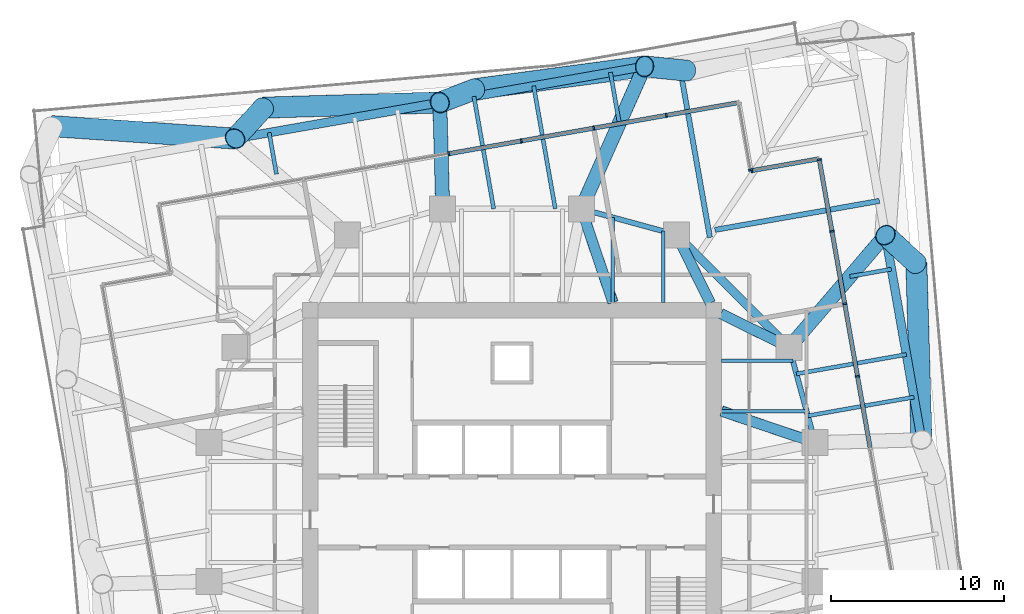
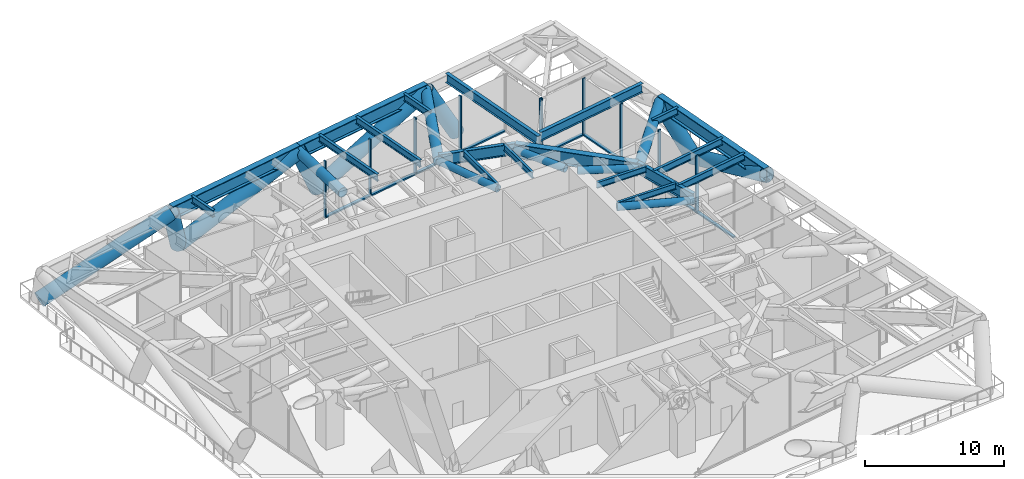
# One storey, part 6 of 15: 34 members, 19 beams, 4 elements without a shape of their own.
"""IFC4 building model written with IfcOpenShell, lengths in metres."""

from ifc_helpers import new_model, si_unit, direction, frame, origin, origin_2d, place, context, subcontext, project, spatial, rectangle, hollow_circle, i_section, extrude, material, material_profile, profile_set, type_object, element, aggregate, save


model = new_model("IFC4")

# Units and contexts
model_context = context("Model", 3, precision=1e-05, world=origin(), true_north=direction((0.0, 1.0)))
body_context = subcontext(model_context, "Body", "Model", "MODEL_VIEW")
ifc_project = project(units=[si_unit("LENGTHUNIT", "METRE"), si_unit("AREAUNIT", "SQUARE_METRE"), si_unit("VOLUMEUNIT", "CUBIC_METRE"), si_unit("PLANEANGLEUNIT", "RADIAN"), si_unit("MASSUNIT", "GRAM", prefix="KILO")], contexts=[model_context])

# Site, building, storey
site_placement = place(None, origin())
site = spatial("IfcSite", under=ifc_project, at=site_placement, CompositionType="ELEMENT")
building_placement = place(site_placement, origin())
building = spatial("IfcBuilding", under=site, at=building_placement, Name="Torsade Residences", CompositionType="ELEMENT")
storey_placement = place(building_placement, frame((0.0, 0.0, 74.39990234375)))
storey = spatial("IfcBuildingStorey", under=building, at=storey_placement, Name="L20", CompositionType="ELEMENT", Elevation=74.39990234375)

# Beams
ifc_material_1 = material(Name="Steel grade 300", Category="steel")
ifc_material_profile_1 = material_profile(ifc_material_1, i_section(OverallWidth=0.208984375, OverallDepth=0.528076171875, WebThickness=0.009521484375, FlangeThickness=0.01318359375, FilletRadius=0.013916015625, at=origin_2d()), Name="530UB82.0")
ifc_profile_set_1 = profile_set([ifc_material_profile_1], Name="Steel grade 300")
beam_type_1 = type_object("IfcBeamType", Name="INNER FLOOR BEAM 530UB82.0", PredefinedType="JOIST", material=ifc_profile_set_1)
beam_1_placement = place(storey_placement, frame((45.824951171875, 42.10009765625, 4.586181640625), z_axis=(0.0, 1.0, 0.0), x_axis=(-1.0, 0.0, 0.0)))
element("IfcBeam", 1, at=beam_1_placement, inside=storey, type_object=beam_type_1, Name="Inner floor beam IN06 L21", PredefinedType="JOIST", context=body_context, shape_type="SweptSolid", body=[
    extrude(i_section(OverallWidth=0.208984375, OverallDepth=0.528076171875, WebThickness=0.009521484375, FlangeThickness=0.01318359375, FilletRadius=0.013916015625, at=origin_2d()), origin(), (0.0, 0.0, 1.0), 4.902099609375),
])
beam_2_placement = place(storey_placement, frame((48.737548828125, 42.10009765625, 4.586181640625), z_axis=(0.0, 1.0, 0.0), x_axis=(-1.0, 0.0, 0.0)))
element("IfcBeam", 2, at=beam_2_placement, inside=storey, type_object=beam_type_1, Name="Inner floor beam IN07 L21", PredefinedType="JOIST", context=body_context, shape_type="SweptSolid", body=[
    extrude(i_section(OverallWidth=0.208984375, OverallDepth=0.528076171875, WebThickness=0.009521484375, FlangeThickness=0.01318359375, FilletRadius=0.013916015625, at=origin_2d()), origin(), (0.0, 0.0, 1.0), 4.10791015625),
])
beam_3_placement = place(storey_placement, frame((52.10009765625, 35.824951171875, 4.586181640625), z_axis=(1.0, 0.0, 0.0), x_axis=(0.0, 1.0, 0.0)))
element("IfcBeam", 3, at=beam_3_placement, inside=storey, type_object=beam_type_1, Name="Inner floor beam IE06 L21", PredefinedType="JOIST", context=body_context, shape_type="SweptSolid", body=[
    extrude(i_section(OverallWidth=0.208984375, OverallDepth=0.528076171875, WebThickness=0.009521484375, FlangeThickness=0.01318359375, FilletRadius=0.013916015625, at=origin_2d()), origin(), (0.0, 0.0, 1.0), 4.902099609375),
])
beam_4_placement = place(storey_placement, frame((52.10009765625, 38.737548828125, 4.586181640625), z_axis=(1.0, 0.0, 0.0), x_axis=(0.0, 1.0, 0.0)))
element("IfcBeam", 4, at=beam_4_placement, inside=storey, type_object=beam_type_1, Name="Inner floor beam IE07 L21", PredefinedType="JOIST", context=body_context, shape_type="SweptSolid", body=[
    extrude(i_section(OverallWidth=0.208984375, OverallDepth=0.528076171875, WebThickness=0.009521484375, FlangeThickness=0.01318359375, FilletRadius=0.013916015625, at=origin_2d()), origin(), (0.0, 0.0, 1.0), 4.10791015625),
])
ifc_material_2 = material(Name="Steel grade 300", Category="steel")
ifc_material_profile_2 = material_profile(ifc_material_2, i_section(OverallWidth=0.5, OverallDepth=1.199951171875, WebThickness=0.01611328125, FlangeThickness=0.0400390625, at=origin_2d()), Name="1200WB455")
ifc_profile_set_2 = profile_set([ifc_material_profile_2], Name="Steel grade 300")
beam_type_2 = type_object("IfcBeamType", Name="RING CORNER GIRDER 1200WB455", PredefinedType="BEAM", material=ifc_profile_set_2)
beam_5_placement = place(storey_placement, frame((56.0, 39.5, 4.25), z_axis=(-0.707106781187, 0.707106781187, 0.0), x_axis=(-0.707106781187, -0.707106781187, 0.0)))
element("IfcBeam", 5, at=beam_5_placement, inside=storey, type_object=beam_type_2, Name="Ring girder IR03 L21", PredefinedType="BEAM", context=body_context, shape_type="SweptSolid", body=[
    extrude(i_section(OverallWidth=0.5, OverallDepth=1.199951171875, WebThickness=0.01611328125, FlangeThickness=0.0400390625, at=origin_2d()), origin(), (0.0, 0.0, 1.0), 9.1923828125),
])
ifc_material_3 = material(Name="Steel grade 300", Category="steel")
ifc_material_profile_3 = material_profile(ifc_material_3, i_section(OverallWidth=0.300048828125, OverallDepth=1.0, WebThickness=0.01611328125, FlangeThickness=0.028076171875, at=origin_2d()), Name="1000WB215")
ifc_profile_set_3 = profile_set([ifc_material_profile_3], Name="Steel grade 300")
beam_type_3 = type_object("IfcBeamType", Name="RING GIRDER 1000WB215", PredefinedType="BEAM", material=ifc_profile_set_3)
for number, where, z_axis, x_axis, name in (
    (6, (57.5, 34.0, 4.35009765625), (-0.263117405792, 0.964763821238, 0.0), (-0.964763821238, -0.263117405792, 0.0), "Ring girder IR02 L21"),
    (7, (49.5, 46.0, 4.35009765625), (-0.964763821238, 0.263117405792, 0.0), (-0.263117405792, -0.964763821238, 0.0), "Ring girder IR04 L21"),
):
    element("IfcBeam", number, at=place(storey_placement, frame(where, z_axis=z_axis, x_axis=x_axis)), inside=storey, type_object=beam_type_3, Name=name, PredefinedType="BEAM", context=body_context, shape_type="SweptSolid", body=[
        extrude(i_section(OverallWidth=0.300048828125, OverallDepth=1.0, WebThickness=0.01611328125, FlangeThickness=0.028076171875, at=origin_2d()), origin(), (0.0, 0.0, 1.0), 5.700927734375),
    ])
ifc_material_4 = material(Name="Steel grade 300", Category="steel")
ifc_material_profile_4 = material_profile(ifc_material_4, i_section(OverallWidth=0.22900390625, OverallDepth=0.612060546875, WebThickness=0.011962890625, FlangeThickness=0.01953125, FilletRadius=0.013916015625, at=origin_2d()), Name="610UB125")
ifc_profile_set_4 = profile_set([ifc_material_profile_4], Name="Steel grade 300")
beam_type_4 = type_object("IfcBeamType", Name="SECONDARY BEAM 610UB125", PredefinedType="JOIST", material=ifc_profile_set_4)
beam_6_placement = place(storey_placement, frame((63.201171875, 36.629638671875, 4.544189453125), z_axis=(-0.984806474989, -0.173655425542, 0.0), x_axis=(0.173655425542, -0.984806474989, 0.0)))
element("IfcBeam", 8, at=beam_6_placement, inside=storey, type_object=beam_type_4, Name="Floor beam FE07 L21", PredefinedType="JOIST", context=body_context, shape_type="SweptSolid", body=[
    extrude(i_section(OverallWidth=0.22900390625, OverallDepth=0.612060546875, WebThickness=0.011962890625, FlangeThickness=0.01953125, FilletRadius=0.013916015625, at=origin_2d()), origin(), (0.0, 0.0, 1.0), 6.21826171875),
])
beam_7_placement = place(storey_placement, frame((62.76708984375, 39.091552734375, 4.544189453125), z_axis=(-0.984810608823, -0.17363198078, 0.0), x_axis=(0.17363198078, -0.984810608823, 0.0)))
element("IfcBeam", 9, at=beam_7_placement, inside=storey, type_object=beam_type_4, Name="Floor beam FE08 L21", PredefinedType="JOIST", context=body_context, shape_type="SweptSolid", body=[
    extrude(i_section(OverallWidth=0.22900390625, OverallDepth=0.612060546875, WebThickness=0.011962890625, FlangeThickness=0.01953125, FilletRadius=0.013916015625, at=origin_2d()), origin(), (0.0, 0.0, 1.0), 6.4482421875),
])
beam_8_placement = place(storey_placement, frame((61.89892578125, 44.015625, 4.544189453125), z_axis=(-0.984800736156, -0.173687967535, 0.0), x_axis=(0.173687967535, -0.984800736156, 0.0)))
element("IfcBeam", 10, at=beam_8_placement, inside=storey, type_object=beam_type_4, Name="Floor beam FE09 L21", PredefinedType="JOIST", context=body_context, shape_type="SweptSolid", body=[
    extrude(i_section(OverallWidth=0.22900390625, OverallDepth=0.612060546875, WebThickness=0.011962890625, FlangeThickness=0.01953125, FilletRadius=0.013916015625, at=origin_2d()), origin(), (0.0, 0.0, 1.0), 2.431640625),
])
beam_9_placement = place(storey_placement, frame((45.680419921875, 55.371826171875, 4.544189453125), z_axis=(0.17370564578, -0.984797618104, 0.0), x_axis=(0.984797618104, 0.17370564578, 0.0)))
element("IfcBeam", 11, at=beam_9_placement, inside=storey, type_object=beam_type_4, Name="Floor beam FN04 L21", PredefinedType="JOIST", context=body_context, shape_type="SweptSolid", body=[
    extrude(i_section(OverallWidth=0.22900390625, OverallDepth=0.612060546875, WebThickness=0.011962890625, FlangeThickness=0.01953125, FilletRadius=0.013916015625, at=origin_2d()), origin(), (0.0, 0.0, 1.0), 2.97119140625),
])
beam_10_placement = place(storey_placement, frame((41.248779296875, 54.59033203125, 4.544189453125), z_axis=(0.173651855324, -0.984807104535, 0.0), x_axis=(0.984807104535, 0.173651855324, 0.0)))
element("IfcBeam", 12, at=beam_10_placement, inside=storey, type_object=beam_type_4, Name="Floor beam FN05 L21", PredefinedType="JOIST", context=body_context, shape_type="SweptSolid", body=[
    extrude(i_section(OverallWidth=0.22900390625, OverallDepth=0.612060546875, WebThickness=0.011962890625, FlangeThickness=0.01953125, FilletRadius=0.013916015625, at=origin_2d()), origin(), (0.0, 0.0, 1.0), 7.19970703125),
])
beam_11_placement = place(storey_placement, frame((37.802001953125, 53.982666015625, 4.544189453125), z_axis=(0.173647806501, -0.984807818459, 0.0), x_axis=(0.984807818459, 0.173647806501, 0.0)))
element("IfcBeam", 13, at=beam_11_placement, inside=storey, type_object=beam_type_4, Name="Floor beam FN06 L21", PredefinedType="JOIST", context=body_context, shape_type="SweptSolid", body=[
    extrude(i_section(OverallWidth=0.22900390625, OverallDepth=0.612060546875, WebThickness=0.011962890625, FlangeThickness=0.01953125, FilletRadius=0.013916015625, at=origin_2d()), origin(), (0.0, 0.0, 1.0), 6.582763671875),
])
beam_12_placement = place(storey_placement, frame((25.984375, 51.89892578125, 4.544189453125), z_axis=(0.173687967535, -0.984800736156, 0.0), x_axis=(0.984800736156, 0.173687967535, 0.0)))
element("IfcBeam", 14, at=beam_12_placement, inside=storey, type_object=beam_type_4, Name="Floor beam FN09 L21", PredefinedType="JOIST", context=body_context, shape_type="SweptSolid", body=[
    extrude(i_section(OverallWidth=0.22900390625, OverallDepth=0.612060546875, WebThickness=0.011962890625, FlangeThickness=0.01953125, FilletRadius=0.013916015625, at=origin_2d()), origin(), (0.0, 0.0, 1.0), 2.431640625),
])
ifc_material_5 = material(Name="Steel grade 300", Category="steel")
ifc_material_profile_5 = material_profile(ifc_material_5, i_section(OverallWidth=0.300048828125, OverallDepth=0.800048828125, WebThickness=0.010009765625, FlangeThickness=0.02001953125, at=origin_2d()), Name="800WB146")
ifc_profile_set_5 = profile_set([ifc_material_profile_5], Name="Steel grade 300")
beam_type_5 = type_object("IfcBeamType", Name="SECONDARY BEAM 800WB146", PredefinedType="JOIST", material=ifc_profile_set_5)
beam_13_placement = place(storey_placement, frame((61.204345703125, 47.954833984375, 4.4501953125), z_axis=(-0.984809307086, -0.173639363846, 0.0), x_axis=(0.173639363846, -0.984809307086, 0.0)))
element("IfcBeam", 15, at=beam_13_placement, inside=storey, type_object=beam_type_5, Name="Floor beam FE10 L21", PredefinedType="JOIST", context=body_context, shape_type="SweptSolid", body=[
    extrude(i_section(OverallWidth=0.300048828125, OverallDepth=0.800048828125, WebThickness=0.010009765625, FlangeThickness=0.02001953125, at=origin_2d()), origin(), (0.0, 0.0, 1.0), 9.636962890625),
])
beam_14_placement = place(storey_placement, frame((49.619873046875, 56.06640625, 4.4501953125), z_axis=(0.173641751202, -0.98480888615, 0.0), x_axis=(0.98480888615, 0.173641751202, 0.0)))
element("IfcBeam", 16, at=beam_14_placement, inside=storey, type_object=beam_type_5, Name="Floor beam FN03 L21", PredefinedType="JOIST", context=body_context, shape_type="SweptSolid", body=[
    extrude(i_section(OverallWidth=0.300048828125, OverallDepth=0.800048828125, WebThickness=0.010009765625, FlangeThickness=0.02001953125, at=origin_2d()), origin(), (0.0, 0.0, 1.0), 10.379150390625),
])

# Members
ifc_material_6 = material(Name="Steel grade 450", Category="steel")
ifc_material_profile_6 = material_profile(ifc_material_6, hollow_circle(Radius=0.304931640625, WallThickness=0.01611328125, at=origin_2d()), Name="610.0x16.0CHS")
ifc_profile_set_6 = profile_set([ifc_material_profile_6], Name="Steel grade 450")
member_type_1 = type_object("IfcMemberType", Name="TRANSFER FLOOR BRACE 610.0x16.0CHS", PredefinedType="BRACE", material=ifc_profile_set_6)
member_1_placement = place(storey_placement, frame((57.5, 34.0, 4.25), z_axis=(-0.946855969774, 0.319999474368, 0.032620682203), x_axis=(-0.320169867513, -0.947360151124, 0.0)))
element("IfcMember", 17, at=member_1_placement, inside=storey, type_object=member_type_1, Name="Transfer floor brace TT2 top IR02IE06", PredefinedType="BRACE", context=body_context, shape_type="SweptSolid", body=[
    extrude(hollow_circle(Radius=0.304931640625, WallThickness=0.01611328125, at=origin_2d()), origin(), (0.0, 0.0, 1.0), 5.702880859375),
])
for number, where, z_axis, x_axis, name in (
    (18, (56.0, 39.5, 4.25), (-0.896469701914, 0.443105036702, 0.0), (-0.443105036702, -0.896469701914, 0.0), "Transfer floor brace TT2 top IR03C"),
    (19, (49.5, 46.0, 4.25), (0.443105036702, -0.896469701914, 0.0), (0.896469701914, 0.443105036702, 0.0), "Transfer floor brace TT2 top IR04C"),
):
    element("IfcMember", number, at=place(storey_placement, frame(where, z_axis=z_axis, x_axis=x_axis)), inside=storey, type_object=member_type_1, Name=name, PredefinedType="BRACE", context=body_context, shape_type="SweptSolid", body=[
        extrude(hollow_circle(Radius=0.304931640625, WallThickness=0.01611328125, at=origin_2d()), origin(), (0.0, 0.0, 1.0), 4.40234375),
    ])
member_2_placement = place(storey_placement, frame((44.0, 47.5, 4.25), z_axis=(0.319999474368, -0.946855969774, 0.032620682203), x_axis=(0.947360151124, 0.320169867513, 0.0)))
element("IfcMember", 20, at=member_2_placement, inside=storey, type_object=member_type_1, Name="Transfer floor brace TT2 top IR05IN06", PredefinedType="BRACE", context=body_context, shape_type="SweptSolid", body=[
    extrude(hollow_circle(Radius=0.304931640625, WallThickness=0.01611328125, at=origin_2d()), origin(), (0.0, 0.0, 1.0), 5.702880859375),
])
ifc_material_7 = material(Name="Steel grade 450", Category="steel")
ifc_material_profile_7 = material_profile(ifc_material_7, hollow_circle(Radius=0.406494140625, WallThickness=0.02490234375, at=origin_2d()), Name="813.0x25.0CHS")
ifc_profile_set_7 = profile_set([ifc_material_profile_7], Name="Steel grade 450")
member_type_2 = type_object("IfcMemberType", Name="TRANSFER FLOOR STRUT 813.0x25.0CHS", PredefinedType="STRUT", material=ifc_profile_set_7)
member_3_placement = place(storey_placement, frame((61.551513671875, 45.9853515625, 4.25), z_axis=(-0.650294298415, -0.759682384585, 0.0), x_axis=(0.759682384585, -0.650294298415, 0.0)))
element("IfcMember", 21, at=member_3_placement, inside=storey, type_object=member_type_2, Name="Transfer floor strut TT2 top 08IR03", PredefinedType="STRUT", context=body_context, shape_type="SweptSolid", body=[
    extrude(hollow_circle(Radius=0.406494140625, WallThickness=0.02490234375, at=origin_2d()), origin(), (0.0, 0.0, 1.0), 8.536865234375),
])
member_4_placement = place(storey_placement, frame((47.650146484375, 55.71923828125, 4.25), z_axis=(-0.405873976228, -0.913929053822, 0.0), x_axis=(0.913929053822, -0.405873976228, 0.0)))
element("IfcMember", 22, at=member_4_placement, inside=storey, type_object=member_type_2, Name="Transfer floor strut TT2 top 10IR05", PredefinedType="STRUT", context=body_context, shape_type="SweptSolid", body=[
    extrude(hollow_circle(Radius=0.406494140625, WallThickness=0.02490234375, at=origin_2d()), origin(), (0.0, 0.0, 1.0), 8.993408203125),
])
member_5_placement = place(storey_placement, frame((35.83251953125, 53.635498046875, 4.25), z_axis=(0.027286799774, -0.999627645955, 0.0), x_axis=(0.999627645955, 0.027286799774, 0.0)))
element("IfcMember", 23, at=member_5_placement, inside=storey, type_object=member_type_2, Name="Transfer floor strut TT2 top 11IR06", PredefinedType="STRUT", context=body_context, shape_type="SweptSolid", body=[
    extrude(hollow_circle(Radius=0.406494140625, WallThickness=0.02490234375, at=origin_2d()), origin(), (0.0, 0.0, 1.0), 6.1376953125),
])

# Curtain wall, members
ifc_material_8 = material(Name="Aluminium and glass", Category="aluminium")
curtain_wall_type = type_object("IfcCurtainWallType", Name="TRANSFER LEVEL CURTAIN WALL LOW ZONE", PredefinedType="NOTDEFINED", material=ifc_material_8)
curtain_wall_1_placement = place(storey_placement, origin())
curtain_wall_1 = element("IfcCurtainWall", 24, at=curtain_wall_1_placement, inside=storey, type_object=curtain_wall_type, Name="Curtain wall L20 face 4", PredefinedType="NOTDEFINED")
ifc_material_9 = material(Name="Aluminium mullion", Category="aluminium")
ifc_material_profile_8 = material_profile(ifc_material_9, rectangle(XDim=0.25, YDim=0.10009765625, at=origin_2d()), Name="TRANSFER LEVEL CURTAIN WALL MULLION 250x100")
ifc_profile_set_8 = profile_set([ifc_material_profile_8], Name="Aluminium mullion")
member_type_3 = type_object("IfcMemberType", Name="TRANSFER LEVEL CURTAIN WALL MULLION 250x100", PredefinedType="MULLION", material=ifc_profile_set_8)
member_6_placement = place(storey_placement, frame((59.94287109375, 37.83203125, 0.0), z_axis=(0.0, 0.0, 1.0), x_axis=(-0.98480775357, -0.173648174504, 0.0)))
member_6 = element("IfcMember", 25, at=member_6_placement, type_object=member_type_3, Name="Mullion 6", PredefinedType="MULLION", context=body_context, shape_type="SweptSolid", body=[
    extrude(rectangle(XDim=0.25, YDim=0.10009765625, at=origin_2d()), origin(), (0.0, 0.0, 1.0), 5.0),
])
member_7_placement = place(storey_placement, frame((59.204833984375, 42.017578125, 0.0), z_axis=(0.0, 0.0, 1.0), x_axis=(-0.98480775357, -0.173648174504, 0.0)))
member_7 = element("IfcMember", 26, at=member_7_placement, type_object=member_type_3, Name="Mullion 7", PredefinedType="MULLION", context=body_context, shape_type="SweptSolid", body=[
    extrude(rectangle(XDim=0.25, YDim=0.10009765625, at=origin_2d()), origin(), (0.0, 0.0, 1.0), 5.0),
])
member_8_placement = place(storey_placement, frame((58.467041015625, 46.202880859375, 0.0), z_axis=(0.0, 0.0, 1.0), x_axis=(-0.98480775357, -0.173648174504, 0.0)))
member_8 = element("IfcMember", 27, at=member_8_placement, type_object=member_type_3, Name="Mullion 8", PredefinedType="MULLION", context=body_context, shape_type="SweptSolid", body=[
    extrude(rectangle(XDim=0.25, YDim=0.10009765625, at=origin_2d()), origin(), (0.0, 0.0, 1.0), 5.0),
])
member_9_placement = place(storey_placement, frame((57.737548828125, 50.339111328125, 0.0), z_axis=(0.0, 0.0, 1.0), x_axis=(-0.98480775357, -0.173648174504, 0.0)))
member_9 = element("IfcMember", 28, at=member_9_placement, type_object=member_type_3, Name="Mullion 9", PredefinedType="MULLION", context=body_context, shape_type="SweptSolid", body=[
    extrude(rectangle(XDim=0.25, YDim=0.10009765625, at=origin_2d()), origin(), (0.0, 0.0, 1.0), 5.0),
])

# Curtain wall, member
curtain_wall_2_placement = place(storey_placement, origin())
curtain_wall_2 = element("IfcCurtainWall", 29, at=curtain_wall_2_placement, inside=storey, type_object=curtain_wall_type, Name="Curtain wall L20 face 5", PredefinedType="NOTDEFINED")
member_10_placement = place(storey_placement, frame((53.8388671875, 49.702392578125, 0.0), z_axis=(0.0, 0.0, 1.0), x_axis=(0.173648248327, -0.984807740553, 0.0)))
member_10 = element("IfcMember", 30, at=member_10_placement, type_object=member_type_3, Name="Mullion 2", PredefinedType="MULLION", context=body_context, shape_type="SweptSolid", body=[
    extrude(rectangle(XDim=0.25, YDim=0.10009765625, at=origin_2d()), origin(), (0.0, 0.0, 1.0), 5.0),
])

curtain_wall_3_placement = place(storey_placement, origin())
curtain_wall_3 = element("IfcCurtainWall", 31, at=curtain_wall_3_placement, inside=storey, type_object=curtain_wall_type, Name="Curtain wall L20 face 6", PredefinedType="NOTDEFINED")
member_11_placement = place(storey_placement, frame((53.781005859375, 49.742919921875, 0.0), z_axis=(0.0, 0.0, 1.0), x_axis=(-0.984807740553, -0.173648248327, 0.0)))
member_11 = element("IfcMember", 32, at=member_11_placement, type_object=member_type_3, Name="Mullion 1", PredefinedType="MULLION", context=body_context, shape_type="SweptSolid", body=[
    extrude(rectangle(XDim=0.25, YDim=0.10009765625, at=origin_2d()), origin(), (0.0, 0.0, 1.0), 5.0),
])
aggregate(curtain_wall_3, [member_11])

# Curtain wall, members
curtain_wall_4_placement = place(storey_placement, origin())
curtain_wall_4 = element("IfcCurtainWall", 33, at=curtain_wall_4_placement, inside=storey, type_object=curtain_wall_type, Name="Curtain wall L20 face 7", PredefinedType="NOTDEFINED")
member_12_placement = place(storey_placement, frame((48.90966796875, 52.89501953125, 0.0), z_axis=(0.0, 0.0, 1.0), x_axis=(0.173648174504, -0.98480775357, 0.0)))
member_12 = element("IfcMember", 34, at=member_12_placement, type_object=member_type_3, Name="Mullion 2", PredefinedType="MULLION", context=body_context, shape_type="SweptSolid", body=[
    extrude(rectangle(XDim=0.25, YDim=0.10009765625, at=origin_2d()), origin(), (0.0, 0.0, 1.0), 5.0),
])
member_13_placement = place(storey_placement, frame((44.724365234375, 52.156982421875, 0.0), z_axis=(0.0, 0.0, 1.0), x_axis=(0.173648174504, -0.98480775357, 0.0)))
member_13 = element("IfcMember", 35, at=member_13_placement, type_object=member_type_3, Name="Mullion 3", PredefinedType="MULLION", context=body_context, shape_type="SweptSolid", body=[
    extrude(rectangle(XDim=0.25, YDim=0.10009765625, at=origin_2d()), origin(), (0.0, 0.0, 1.0), 5.0),
])
member_14_placement = place(storey_placement, frame((40.538818359375, 51.4189453125, 0.0), z_axis=(0.0, 0.0, 1.0), x_axis=(0.173648174504, -0.98480775357, 0.0)))
member_14 = element("IfcMember", 36, at=member_14_placement, type_object=member_type_3, Name="Mullion 4", PredefinedType="MULLION", context=body_context, shape_type="SweptSolid", body=[
    extrude(rectangle(XDim=0.25, YDim=0.10009765625, at=origin_2d()), origin(), (0.0, 0.0, 1.0), 5.0),
])
member_15_placement = place(storey_placement, frame((36.353271484375, 50.680908203125, 0.0), z_axis=(0.0, 0.0, 1.0), x_axis=(0.173648174504, -0.98480775357, 0.0)))
member_15 = element("IfcMember", 37, at=member_15_placement, type_object=member_type_3, Name="Mullion 5", PredefinedType="MULLION", context=body_context, shape_type="SweptSolid", body=[
    extrude(rectangle(XDim=0.25, YDim=0.10009765625, at=origin_2d()), origin(), (0.0, 0.0, 1.0), 5.0),
])

# Member
ifc_material_10 = material(Name="Aluminium transom", Category="aluminium")
ifc_material_profile_9 = material_profile(ifc_material_10, rectangle(XDim=0.25, YDim=0.1201171875, at=origin_2d()), Name="TRANSFER LEVEL CURTAIN WALL TRANSOM 250x120")
ifc_profile_set_9 = profile_set([ifc_material_profile_9], Name="Aluminium transom")
member_type_4 = type_object("IfcMemberType", Name="TRANSFER LEVEL CURTAIN WALL TRANSOM 250x120", PredefinedType="USERDEFINED", material=ifc_profile_set_9)
member_16_placement = place(storey_placement, frame((60.67236328125, 33.69580078125, 0.06005859375), z_axis=(-0.173664515088, 0.984804872144, 0.0), x_axis=(-0.984804872144, -0.173664515088, 0.0)))
member_16 = element("IfcMember", 38, at=member_16_placement, type_object=member_type_4, Name="Transom 5.1", ObjectType="TRANSOM", PredefinedType="USERDEFINED", context=body_context, shape_type="SweptSolid", body=[
    extrude(rectangle(XDim=0.25, YDim=0.1201171875, at=origin_2d()), origin(), (0.0, 0.0, 1.0), 4.14990234375),
])

member_17_placement = place(storey_placement, frame((59.934326171875, 37.88134765625, 0.06005859375), z_axis=(-0.173664515088, 0.984804872144, 0.0), x_axis=(-0.984804872144, -0.173664515088, 0.0)))
member_17 = element("IfcMember", 39, at=member_17_placement, type_object=member_type_4, Name="Transom 6.1", ObjectType="TRANSOM", PredefinedType="USERDEFINED", context=body_context, shape_type="SweptSolid", body=[
    extrude(rectangle(XDim=0.25, YDim=0.1201171875, at=origin_2d()), origin(), (0.0, 0.0, 1.0), 4.14990234375),
])

member_18_placement = place(storey_placement, frame((59.1962890625, 42.066650390625, 0.06005859375), z_axis=(-0.173664515088, 0.984804872144, 0.0), x_axis=(-0.984804872144, -0.173664515088, 0.0)))
member_18 = element("IfcMember", 40, at=member_18_placement, type_object=member_type_4, Name="Transom 7.1", ObjectType="TRANSOM", PredefinedType="USERDEFINED", context=body_context, shape_type="SweptSolid", body=[
    extrude(rectangle(XDim=0.25, YDim=0.1201171875, at=origin_2d()), origin(), (0.0, 0.0, 1.0), 4.14990234375),
])

member_19_placement = place(storey_placement, frame((58.458251953125, 46.252197265625, 0.06005859375), z_axis=(-0.17364265611, 0.984808726596, 0.0), x_axis=(-0.984808726596, -0.17364265611, 0.0)))
member_19 = element("IfcMember", 41, at=member_19_placement, type_object=member_type_4, Name="Transom 8.1", ObjectType="TRANSOM", PredefinedType="USERDEFINED", context=body_context, shape_type="SweptSolid", body=[
    extrude(rectangle(XDim=0.25, YDim=0.1201171875, at=origin_2d()), origin(), (0.0, 0.0, 1.0), 4.099853515625),
])

aggregate(curtain_wall_1, [member_6, member_7, member_8, member_9, member_16, member_17, member_18, member_19])

member_20_placement = place(storey_placement, frame((57.63037109375, 50.37109375, 0.06005859375), z_axis=(-0.984804895775, -0.173664381086, 0.0), x_axis=(0.173664381086, -0.984804895775, 0.0)))
member_20 = element("IfcMember", 42, at=member_20_placement, type_object=member_type_4, Name="Transom 1.1", ObjectType="TRANSOM", PredefinedType="USERDEFINED", context=body_context, shape_type="SweptSolid", body=[
    extrude(rectangle(XDim=0.25, YDim=0.1201171875, at=origin_2d()), origin(), (0.0, 0.0, 1.0), 3.800048828125),
])

aggregate(curtain_wall_2, [member_10, member_20])

member_21_placement = place(storey_placement, frame((52.99658203125, 53.61572265625, 0.06005859375), z_axis=(-0.984798541973, -0.173700407966, 0.0), x_axis=(0.173700407966, -0.984798541973, 0.0)))
member_21 = element("IfcMember", 43, at=member_21_placement, type_object=member_type_4, Name="Transom 1.1", ObjectType="TRANSOM", PredefinedType="USERDEFINED", context=body_context, shape_type="SweptSolid", body=[
    extrude(rectangle(XDim=0.25, YDim=0.1201171875, at=origin_2d()), origin(), (0.0, 0.0, 1.0), 4.099853515625),
])

member_22_placement = place(storey_placement, frame((48.8603515625, 52.88623046875, 0.06005859375), z_axis=(-0.984814931939, -0.173607459029, 0.0), x_axis=(0.173607459029, -0.984814931939, 0.0)))
member_22 = element("IfcMember", 44, at=member_22_placement, type_object=member_type_4, Name="Transom 2.1", ObjectType="TRANSOM", PredefinedType="USERDEFINED", context=body_context, shape_type="SweptSolid", body=[
    extrude(rectangle(XDim=0.25, YDim=0.1201171875, at=origin_2d()), origin(), (0.0, 0.0, 1.0), 4.14990234375),
])

member_23_placement = place(storey_placement, frame((44.675048828125, 52.148193359375, 0.06005859375), z_axis=(-0.984814931939, -0.173607459029, 0.0), x_axis=(0.173607459029, -0.984814931939, 0.0)))
member_23 = element("IfcMember", 45, at=member_23_placement, type_object=member_type_4, Name="Transom 3.1", ObjectType="TRANSOM", PredefinedType="USERDEFINED", context=body_context, shape_type="SweptSolid", body=[
    extrude(rectangle(XDim=0.25, YDim=0.1201171875, at=origin_2d()), origin(), (0.0, 0.0, 1.0), 4.14990234375),
])

member_24_placement = place(storey_placement, frame((40.489501953125, 51.410400390625, 0.06005859375), z_axis=(-0.984804872144, -0.173664515088, 0.0), x_axis=(0.173664515088, -0.984804872144, 0.0)))
member_24 = element("IfcMember", 46, at=member_24_placement, type_object=member_type_4, Name="Transom 4.1", ObjectType="TRANSOM", PredefinedType="USERDEFINED", context=body_context, shape_type="SweptSolid", body=[
    extrude(rectangle(XDim=0.25, YDim=0.1201171875, at=origin_2d()), origin(), (0.0, 0.0, 1.0), 4.14990234375),
])

aggregate(curtain_wall_4, [member_12, member_13, member_14, member_15, member_21, member_22, member_23, member_24])

# Beams
ifc_material_11 = material(Name="Steel grade 350", Category="steel")
ifc_material_profile_10 = material_profile(ifc_material_11, i_section(OverallWidth=0.5, OverallDepth=1.199951171875, WebThickness=0.035888671875, FlangeThickness=0.06005859375, at=origin_2d()), Name="1200x500x60x36WPG")
ifc_profile_set_10 = profile_set([ifc_material_profile_10], Name="Steel grade 350")
beam_type_6 = type_object("IfcBeamType", Name="TRANSFER TRUSS CHORD 1200x500x60x36WPG", PredefinedType="USERDEFINED", material=ifc_profile_set_10)
beam_15_placement = place(storey_placement, frame((63.635498046875, 34.16748046875, 4.25), z_axis=(-0.173662308598, 0.984805261243, 0.0), x_axis=(-0.984805261243, -0.173662308598, 0.0)))
element("IfcBeam", 47, at=beam_15_placement, inside=storey, type_object=beam_type_6, Name="Transfer truss TT2 top chord 07", ObjectType="TRANSFER TRUSS CHORD", PredefinedType="USERDEFINED", context=body_context, shape_type="SweptSolid", body=[
    extrude(i_section(OverallWidth=0.5, OverallDepth=1.199951171875, WebThickness=0.035888671875, FlangeThickness=0.06005859375, at=origin_2d()), origin(), (0.0, 0.0, 1.0), 12.000244140625),
])
beam_16_placement = place(storey_placement, frame((47.650146484375, 55.71923828125, 4.25), z_axis=(-0.984808127031, -0.173646056486, 0.0), x_axis=(0.173646056486, -0.984808127031, 0.0)))
element("IfcBeam", 48, at=beam_16_placement, inside=storey, type_object=beam_type_6, Name="Transfer truss TT2 top chord 10", ObjectType="TRANSFER TRUSS CHORD", PredefinedType="USERDEFINED", context=body_context, shape_type="SweptSolid", body=[
    extrude(i_section(OverallWidth=0.5, OverallDepth=1.199951171875, WebThickness=0.035888671875, FlangeThickness=0.06005859375, at=origin_2d()), origin(), (0.0, 0.0, 1.0), 12.0),
])
beam_17_placement = place(storey_placement, frame((35.83251953125, 53.635498046875, 4.25), z_axis=(-0.984805261243, -0.173662308598, 0.0), x_axis=(0.173662308598, -0.984805261243, 0.0)))
element("IfcBeam", 49, at=beam_17_placement, inside=storey, type_object=beam_type_6, Name="Transfer truss TT2 top chord 11", ObjectType="TRANSFER TRUSS CHORD", PredefinedType="USERDEFINED", context=body_context, shape_type="SweptSolid", body=[
    extrude(i_section(OverallWidth=0.5, OverallDepth=1.199951171875, WebThickness=0.035888671875, FlangeThickness=0.06005859375, at=origin_2d()), origin(), (0.0, 0.0, 1.0), 12.000244140625),
])

# Members
ifc_material_12 = material(Name="Steel grade 450", Category="steel")
ifc_material_profile_11 = material_profile(ifc_material_12, hollow_circle(Radius=0.609619140625, WallThickness=0.0400390625, at=origin_2d()), Name="1219.0x40.0CHS")
ifc_profile_set_11 = profile_set([ifc_material_profile_11], Name="Steel grade 450")
member_type_5 = type_object("IfcMemberType", Name="TRANSFER TRUSS DIAGONAL 1219.0x40.0CHS", PredefinedType="BRACE", material=ifc_profile_set_11)
member_25_placement = place(storey_placement, frame((63.339111328125, 44.338623046875, -0.199951171875), z_axis=(0.026687208848, -0.915828507263, 0.400681841576), x_axis=(0.999575701474, 0.029127598992, 0.0)))
element("IfcMember", 50, at=member_25_placement, inside=storey, type_object=member_type_5, Name="Transfer truss TT2 diagonal 07", PredefinedType="BRACE", context=body_context, shape_type="SweptSolid", body=[
    extrude(hollow_circle(Radius=0.609619140625, WallThickness=0.0400390625, at=origin_2d()), origin(), (0.0, 0.0, 1.0), 11.10595703125),
])
member_26_placement = place(storey_placement, frame((37.86474609375, 54.40673828125, -0.199951171875), z_axis=(0.903584715554, 0.121196363135, 0.410908874789), x_axis=(-0.132937915627, 0.991124366863, 0.0)))
element("IfcMember", 51, at=member_26_placement, inside=storey, type_object=member_type_5, Name="Transfer truss TT2 diagonal 10", PredefinedType="BRACE", context=body_context, shape_type="SweptSolid", body=[
    extrude(hollow_circle(Radius=0.609619140625, WallThickness=0.0400390625, at=origin_2d()), origin(), (0.0, 0.0, 1.0), 10.82958984375),
])
member_27_placement = place(storey_placement, frame((25.661376953125, 53.339111328125, -0.199951171875), z_axis=(0.915828507263, 0.026687208848, 0.400681841576), x_axis=(-0.029127598992, 0.999575701474, 0.0)))
element("IfcMember", 52, at=member_27_placement, inside=storey, type_object=member_type_5, Name="Transfer truss TT2 diagonal 11", PredefinedType="BRACE", context=body_context, shape_type="SweptSolid", body=[
    extrude(hollow_circle(Radius=0.609619140625, WallThickness=0.0400390625, at=origin_2d()), origin(), (0.0, 0.0, 1.0), 11.10595703125),
])
member_28_placement = place(storey_placement, frame((13.4580078125, 52.271484375, -0.199951171875), z_axis=(0.919663310403, -0.062721718371, 0.387666585539), x_axis=(0.068042678793, 0.997682411323, 0.0)))
element("IfcMember", 53, at=member_28_placement, inside=storey, type_object=member_type_5, Name="Transfer truss TT2 diagonal 12", PredefinedType="BRACE", context=body_context, shape_type="SweptSolid", body=[
    extrude(hollow_circle(Radius=0.609619140625, WallThickness=0.0400390625, at=origin_2d()), origin(), (0.0, 0.0, 1.0), 11.478759765625),
])
ifc_material_13 = material(Name="Steel grade 450", Category="steel")
ifc_material_profile_12 = material_profile(ifc_material_13, hollow_circle(Radius=0.609619140625, WallThickness=0.0400390625, at=origin_2d()), Name="1219.0x40.0CHS")
ifc_profile_set_12 = profile_set([ifc_material_profile_12], Name="Steel grade 450")
member_type_6 = type_object("IfcMemberType", Name="TRANSFER TRUSS RAKING STRUT 1219.0x40.0CHS", PredefinedType="STRUT", material=ifc_profile_set_12)
for number, where, z_axis, x_axis, name in (
    (54, (63.339111328125, 44.338623046875, -0.199951171875), (-0.352553290164, 0.324770819742, 0.877627536167), (-0.677532958954, -0.735492412967, 0.0), "Transfer truss TT2 raking strut 08"),
    (55, (50.068115234375, 55.474365234375, -0.199951171875), (-0.476882582508, 0.04829495459, 0.877639219646), (-0.100756847089, -0.994911080331, 0.0), "Transfer truss TT2 raking strut 10"),
):
    element("IfcMember", number, at=place(storey_placement, frame(where, z_axis=z_axis, x_axis=x_axis)), inside=storey, type_object=member_type_6, Name=name, PredefinedType="STRUT", context=body_context, shape_type="SweptSolid", body=[
        extrude(hollow_circle(Radius=0.609619140625, WallThickness=0.0400390625, at=origin_2d()), origin(), (0.0, 0.0, 1.0), 5.0703125),
    ])
member_29_placement = place(storey_placement, frame((37.86474609375, 54.40673828125, -0.199951171875), z_axis=(-0.410347211286, -0.155728837152, 0.89853419271), x_axis=(0.35481336597, -0.93493715047, 0.0)))
element("IfcMember", 56, at=member_29_placement, inside=storey, type_object=member_type_6, Name="Transfer truss TT2 raking strut 11", PredefinedType="STRUT", context=body_context, shape_type="SweptSolid", body=[
    extrude(hollow_circle(Radius=0.609619140625, WallThickness=0.0400390625, at=origin_2d()), origin(), (0.0, 0.0, 1.0), 4.952392578125),
])
member_30_placement = place(storey_placement, frame((25.661376953125, 53.339111328125, -0.199951171875), z_axis=(-0.324770819742, -0.352553290164, 0.877627536167), x_axis=(0.735492412967, -0.677532958954, 0.0)))
element("IfcMember", 57, at=member_30_placement, inside=storey, type_object=member_type_6, Name="Transfer truss TT2 raking strut 12", PredefinedType="STRUT", context=body_context, shape_type="SweptSolid", body=[
    extrude(hollow_circle(Radius=0.609619140625, WallThickness=0.0400390625, at=origin_2d()), origin(), (0.0, 0.0, 1.0), 5.0703125),
])

save(model, "model.ifc")
